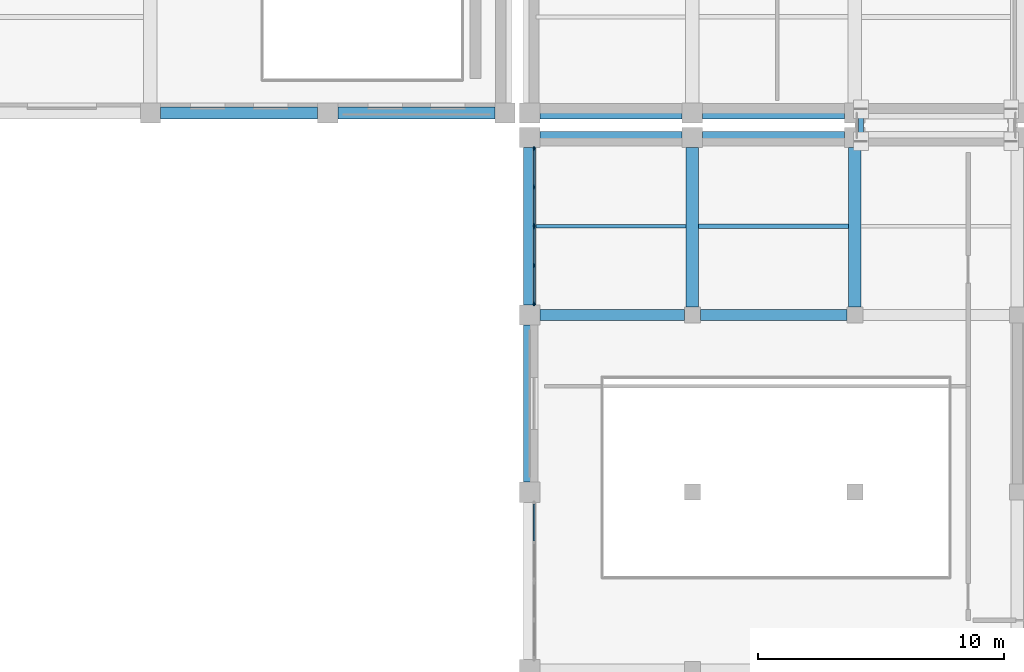
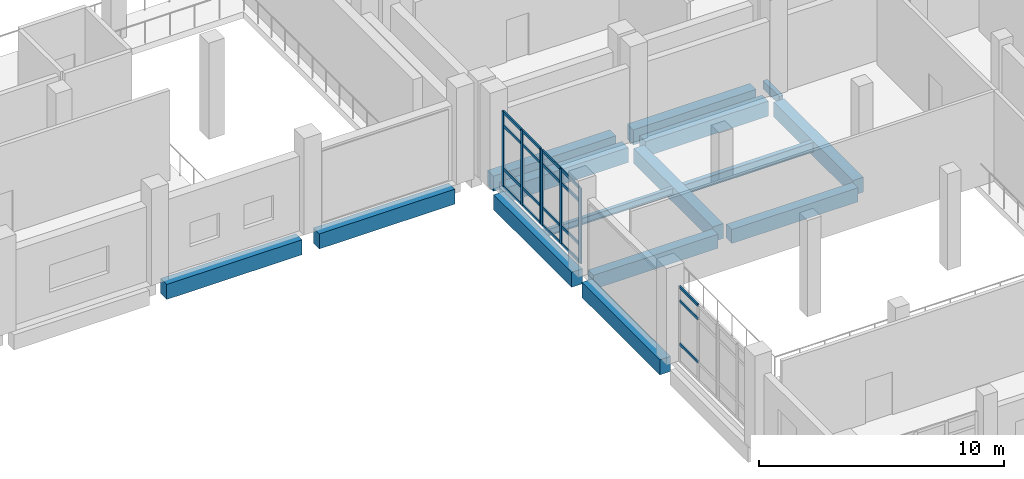
# One storey, part 8 of 73: 25 members, 15 beams, 3 elements without a shape of their own.
"""IFC4 building model written with IfcOpenShell, lengths in metres."""

from ifc_helpers import new_model, si_unit, direction, frame, origin, origin_2d, place, context, subcontext, project, spatial, rectangle, hollow_rectangle, i_section, extrude, material, layer, layer_set, material_profile, profile_set, type_object, element, aggregate, save


model = new_model("IFC4")

# Units and contexts
model_context = context("Model", 3, precision=1e-05, world=origin(), true_north=direction((0.0, 1.0)))
body_context = subcontext(model_context, "Body", "Model", "MODEL_VIEW")
ifc_project = project(units=[si_unit("LENGTHUNIT", "METRE"), si_unit("AREAUNIT", "SQUARE_METRE"), si_unit("VOLUMEUNIT", "CUBIC_METRE"), si_unit("PLANEANGLEUNIT", "RADIAN"), si_unit("MASSUNIT", "GRAM", prefix="KILO")], contexts=[model_context])

# Site, building, storey
site_placement = place(None, origin())
site = spatial("IfcSite", under=ifc_project, at=site_placement, CompositionType="ELEMENT")
building_placement = place(site_placement, origin())
building = spatial("IfcBuilding", under=site, at=building_placement, Name="Kelarvand Opera House", CompositionType="ELEMENT")
storey_placement = place(building_placement, frame((0.0, 0.0, 10.199951171875)))
storey = spatial("IfcBuildingStorey", under=building, at=storey_placement, Name="L02", CompositionType="ELEMENT", Elevation=10.199951171875)

# Curtain wall, members
ifc_material_1 = material(Name="Thermally broken aluminium and low-E glazing", Category="aluminium")
ifc_layer = layer(ifc_material_1, 0.179931640625, Name="Thermally broken aluminium and low-E glazing", Category="aluminium")
ifc_layer_set = layer_set([ifc_layer], Name="Thermally broken aluminium and low-E glazing")
curtain_wall_type = type_object("IfcCurtainWallType", Name="Unitised Low-E Curtain Wall 3176x3730 Mod 1350 CWF-10", PredefinedType="USERDEFINED", material=ifc_layer_set)
curtain_wall_1_placement = place(storey_placement, origin())
curtain_wall_1 = element("IfcCurtainWall", 1, at=curtain_wall_1_placement, inside=storey, type_object=curtain_wall_type, Name="V6 L02 Curtain Wall CWF-10 (223)", ObjectType="UNITISED CURTAIN WALL", PredefinedType="USERDEFINED")
ifc_material_2 = material(Name="Thermally broken anodised aluminium", Category="aluminium")
ifc_material_profile_1 = material_profile(ifc_material_2, rectangle(XDim=0.06494140625, YDim=0.179931640625, at=origin_2d()), Name="ALU MULLION 65x180", Category="aluminium")
ifc_profile_set_1 = profile_set([ifc_material_profile_1], Name="Thermally broken anodised aluminium")
member_type_1 = type_object("IfcMemberType", Name="Curtain Wall Mullion 65x180 Aluminium", PredefinedType="MULLION", material=ifc_profile_set_1)
member_1_placement = place(storey_placement, frame((89.179931640625, 31.052490234375, 0.0), z_axis=(0.0, 0.0, 1.0), x_axis=(-1.0, 0.0, 0.0)))
member_1 = element("IfcMember", 2, at=member_1_placement, type_object=member_type_1, Name="CWF-10 mullion 1", PredefinedType="MULLION", context=body_context, shape_type="SweptSolid", body=[
    extrude(rectangle(XDim=0.06494140625, YDim=0.179931640625, at=origin_2d()), origin(), (0.0, 0.0, 1.0), 3.75),
])
member_2_placement = place(storey_placement, frame((89.179931640625, 32.60791015625, 0.0), z_axis=(0.0, 0.0, 1.0), x_axis=(-1.0, 0.0, 0.0)))
member_2 = element("IfcMember", 3, at=member_2_placement, type_object=member_type_1, Name="CWF-10 mullion 2", PredefinedType="MULLION", context=body_context, shape_type="SweptSolid", body=[
    extrude(rectangle(XDim=0.06494140625, YDim=0.179931640625, at=origin_2d()), origin(), (0.0, 0.0, 1.0), 3.75),
])
member_3_placement = place(storey_placement, frame((89.179931640625, 34.16357421875, 0.0), z_axis=(0.0, 0.0, 1.0), x_axis=(-1.0, 0.0, 0.0)))
member_3 = element("IfcMember", 4, at=member_3_placement, type_object=member_type_1, Name="CWF-10 mullion 3", PredefinedType="MULLION", context=body_context, shape_type="SweptSolid", body=[
    extrude(rectangle(XDim=0.06494140625, YDim=0.179931640625, at=origin_2d()), origin(), (0.0, 0.0, 1.0), 3.75),
])

curtain_wall_2_placement = place(storey_placement, origin())
curtain_wall_2 = element("IfcCurtainWall", 5, at=curtain_wall_2_placement, inside=storey, type_object=curtain_wall_type, Name="V6 L02 Curtain Wall CWF-10 (224)", ObjectType="UNITISED CURTAIN WALL", PredefinedType="USERDEFINED")
member_4_placement = place(storey_placement, frame((89.179931640625, 34.232421875, 0.0), z_axis=(0.0, 0.0, 1.0), x_axis=(-1.0, 0.0, 0.0)))
member_4 = element("IfcMember", 6, at=member_4_placement, type_object=member_type_1, Name="CWF-10 mullion 1", PredefinedType="MULLION", context=body_context, shape_type="SweptSolid", body=[
    extrude(rectangle(XDim=0.06494140625, YDim=0.179931640625, at=origin_2d()), origin(), (0.0, 0.0, 1.0), 3.75),
])
member_5_placement = place(storey_placement, frame((89.179931640625, 35.7900390625, 0.0), z_axis=(0.0, 0.0, 1.0), x_axis=(-1.0, 0.0, 0.0)))
member_5 = element("IfcMember", 7, at=member_5_placement, type_object=member_type_1, Name="CWF-10 mullion 2", PredefinedType="MULLION", context=body_context, shape_type="SweptSolid", body=[
    extrude(rectangle(XDim=0.06494140625, YDim=0.179931640625, at=origin_2d()), origin(), (0.0, 0.0, 1.0), 3.75),
])
member_6_placement = place(storey_placement, frame((89.179931640625, 37.347412109375, 0.0), z_axis=(0.0, 0.0, 1.0), x_axis=(-1.0, 0.0, 0.0)))
member_6 = element("IfcMember", 8, at=member_6_placement, type_object=member_type_1, Name="CWF-10 mullion 3", PredefinedType="MULLION", context=body_context, shape_type="SweptSolid", body=[
    extrude(rectangle(XDim=0.06494140625, YDim=0.179931640625, at=origin_2d()), origin(), (0.0, 0.0, 1.0), 3.75),
])

curtain_wall_3_placement = place(storey_placement, origin())
curtain_wall_3 = element("IfcCurtainWall", 9, at=curtain_wall_3_placement, inside=storey, type_object=curtain_wall_type, Name="V6 L02 Curtain Wall CWF-10 (222)", ObjectType="UNITISED CURTAIN WALL", PredefinedType="USERDEFINED")
ifc_material_profile_2 = material_profile(ifc_material_2, rectangle(XDim=0.06494140625, YDim=0.139892578125, at=origin_2d()), Name="ALU TRANSOM 65x140", Category="aluminium")
ifc_profile_set_2 = profile_set([ifc_material_profile_2], Name="Thermally broken anodised aluminium")
member_type_2 = type_object("IfcMemberType", Name="Curtain Wall Transom 65x140 Aluminium", PredefinedType="USERDEFINED", material=ifc_profile_set_2)
member_7_placement = place(storey_placement, frame((89.179931640625, 21.422607421875, 0.900146484375), z_axis=(0.0, 1.0, 0.0), x_axis=(-1.0, 0.0, 0.0)))
member_7 = element("IfcMember", 10, at=member_7_placement, type_object=member_type_2, Name="CWF-10 transom 2.2", ObjectType="TRANSOM", PredefinedType="USERDEFINED", context=body_context, shape_type="SweptSolid", body=[
    extrude(rectangle(XDim=0.06494140625, YDim=0.139892578125, at=origin_2d()), origin(), (0.0, 0.0, 1.0), 1.492431640625),
])
member_8_placement = place(storey_placement, frame((89.179931640625, 21.422607421875, 3.050048828125), z_axis=(0.0, 1.0, 0.0), x_axis=(-1.0, 0.0, 0.0)))
member_8 = element("IfcMember", 11, at=member_8_placement, type_object=member_type_2, Name="CWF-10 transom 2.3", ObjectType="TRANSOM", PredefinedType="USERDEFINED", context=body_context, shape_type="SweptSolid", body=[
    extrude(rectangle(XDim=0.06494140625, YDim=0.139892578125, at=origin_2d()), origin(), (0.0, 0.0, 1.0), 1.492431640625),
])
member_9_placement = place(storey_placement, frame((89.179931640625, 21.422607421875, 3.717529296875), z_axis=(0.0, 1.0, 0.0), x_axis=(-1.0, 0.0, 0.0)))
member_9 = element("IfcMember", 12, at=member_9_placement, type_object=member_type_2, Name="CWF-10 transom 2.4", ObjectType="TRANSOM", PredefinedType="USERDEFINED", context=body_context, shape_type="SweptSolid", body=[
    extrude(rectangle(XDim=0.06494140625, YDim=0.139892578125, at=origin_2d()), origin(), (0.0, 0.0, 1.0), 1.492431640625),
])
aggregate(curtain_wall_3, [member_7, member_8, member_9])

# Member
member_10_placement = place(storey_placement, frame((89.179931640625, 31.0849609375, 0.032470703125), z_axis=(0.0, 1.0, 0.0), x_axis=(-1.0, 0.0, 0.0)))
member_10 = element("IfcMember", 13, at=member_10_placement, type_object=member_type_2, Name="CWF-10 transom 1.1", ObjectType="TRANSOM", PredefinedType="USERDEFINED", context=body_context, shape_type="SweptSolid", body=[
    extrude(rectangle(XDim=0.06494140625, YDim=0.139892578125, at=origin_2d()), origin(), (0.0, 0.0, 1.0), 1.490478515625),
])

member_11_placement = place(storey_placement, frame((89.179931640625, 31.0849609375, 0.900146484375), z_axis=(0.0, 1.0, 0.0), x_axis=(-1.0, 0.0, 0.0)))
member_11 = element("IfcMember", 14, at=member_11_placement, type_object=member_type_2, Name="CWF-10 transom 1.2", ObjectType="TRANSOM", PredefinedType="USERDEFINED", context=body_context, shape_type="SweptSolid", body=[
    extrude(rectangle(XDim=0.06494140625, YDim=0.139892578125, at=origin_2d()), origin(), (0.0, 0.0, 1.0), 1.490478515625),
])

member_12_placement = place(storey_placement, frame((89.179931640625, 31.0849609375, 3.050048828125), z_axis=(0.0, 1.0, 0.0), x_axis=(-1.0, 0.0, 0.0)))
member_12 = element("IfcMember", 15, at=member_12_placement, type_object=member_type_2, Name="CWF-10 transom 1.3", ObjectType="TRANSOM", PredefinedType="USERDEFINED", context=body_context, shape_type="SweptSolid", body=[
    extrude(rectangle(XDim=0.06494140625, YDim=0.139892578125, at=origin_2d()), origin(), (0.0, 0.0, 1.0), 1.490478515625),
])

member_13_placement = place(storey_placement, frame((89.179931640625, 31.0849609375, 3.717529296875), z_axis=(0.0, 1.0, 0.0), x_axis=(-1.0, 0.0, 0.0)))
member_13 = element("IfcMember", 16, at=member_13_placement, type_object=member_type_2, Name="CWF-10 transom 1.4", ObjectType="TRANSOM", PredefinedType="USERDEFINED", context=body_context, shape_type="SweptSolid", body=[
    extrude(rectangle(XDim=0.06494140625, YDim=0.139892578125, at=origin_2d()), origin(), (0.0, 0.0, 1.0), 1.490478515625),
])

member_14_placement = place(storey_placement, frame((89.179931640625, 32.640380859375, 0.032470703125), z_axis=(0.0, 1.0, 0.0), x_axis=(-1.0, 0.0, 0.0)))
member_14 = element("IfcMember", 17, at=member_14_placement, type_object=member_type_2, Name="CWF-10 transom 2.1", ObjectType="TRANSOM", PredefinedType="USERDEFINED", context=body_context, shape_type="SweptSolid", body=[
    extrude(rectangle(XDim=0.06494140625, YDim=0.139892578125, at=origin_2d()), origin(), (0.0, 0.0, 1.0), 1.49072265625),
])

member_15_placement = place(storey_placement, frame((89.179931640625, 32.640380859375, 0.900146484375), z_axis=(0.0, 1.0, 0.0), x_axis=(-1.0, 0.0, 0.0)))
member_15 = element("IfcMember", 18, at=member_15_placement, type_object=member_type_2, Name="CWF-10 transom 2.2", ObjectType="TRANSOM", PredefinedType="USERDEFINED", context=body_context, shape_type="SweptSolid", body=[
    extrude(rectangle(XDim=0.06494140625, YDim=0.139892578125, at=origin_2d()), origin(), (0.0, 0.0, 1.0), 1.49072265625),
])

member_16_placement = place(storey_placement, frame((89.179931640625, 32.640380859375, 3.050048828125), z_axis=(0.0, 1.0, 0.0), x_axis=(-1.0, 0.0, 0.0)))
member_16 = element("IfcMember", 19, at=member_16_placement, type_object=member_type_2, Name="CWF-10 transom 2.3", ObjectType="TRANSOM", PredefinedType="USERDEFINED", context=body_context, shape_type="SweptSolid", body=[
    extrude(rectangle(XDim=0.06494140625, YDim=0.139892578125, at=origin_2d()), origin(), (0.0, 0.0, 1.0), 1.49072265625),
])

member_17_placement = place(storey_placement, frame((89.179931640625, 32.640380859375, 3.717529296875), z_axis=(0.0, 1.0, 0.0), x_axis=(-1.0, 0.0, 0.0)))
member_17 = element("IfcMember", 20, at=member_17_placement, type_object=member_type_2, Name="CWF-10 transom 2.4", ObjectType="TRANSOM", PredefinedType="USERDEFINED", context=body_context, shape_type="SweptSolid", body=[
    extrude(rectangle(XDim=0.06494140625, YDim=0.139892578125, at=origin_2d()), origin(), (0.0, 0.0, 1.0), 1.49072265625),
])

aggregate(curtain_wall_1, [member_1, member_2, member_3, member_10, member_11, member_12, member_13, member_14, member_15, member_16, member_17])

member_18_placement = place(storey_placement, frame((89.179931640625, 34.264892578125, 0.032470703125), z_axis=(0.0, 1.0, 0.0), x_axis=(-1.0, 0.0, 0.0)))
member_18 = element("IfcMember", 21, at=member_18_placement, type_object=member_type_2, Name="CWF-10 transom 1.1", ObjectType="TRANSOM", PredefinedType="USERDEFINED", context=body_context, shape_type="SweptSolid", body=[
    extrude(rectangle(XDim=0.06494140625, YDim=0.139892578125, at=origin_2d()), origin(), (0.0, 0.0, 1.0), 1.49267578125),
])

member_19_placement = place(storey_placement, frame((89.179931640625, 34.264892578125, 0.900146484375), z_axis=(0.0, 1.0, 0.0), x_axis=(-1.0, 0.0, 0.0)))
member_19 = element("IfcMember", 22, at=member_19_placement, type_object=member_type_2, Name="CWF-10 transom 1.2", ObjectType="TRANSOM", PredefinedType="USERDEFINED", context=body_context, shape_type="SweptSolid", body=[
    extrude(rectangle(XDim=0.06494140625, YDim=0.139892578125, at=origin_2d()), origin(), (0.0, 0.0, 1.0), 1.49267578125),
])

member_20_placement = place(storey_placement, frame((89.179931640625, 34.264892578125, 3.050048828125), z_axis=(0.0, 1.0, 0.0), x_axis=(-1.0, 0.0, 0.0)))
member_20 = element("IfcMember", 23, at=member_20_placement, type_object=member_type_2, Name="CWF-10 transom 1.3", ObjectType="TRANSOM", PredefinedType="USERDEFINED", context=body_context, shape_type="SweptSolid", body=[
    extrude(rectangle(XDim=0.06494140625, YDim=0.139892578125, at=origin_2d()), origin(), (0.0, 0.0, 1.0), 1.49267578125),
])

member_21_placement = place(storey_placement, frame((89.179931640625, 34.264892578125, 3.717529296875), z_axis=(0.0, 1.0, 0.0), x_axis=(-1.0, 0.0, 0.0)))
member_21 = element("IfcMember", 24, at=member_21_placement, type_object=member_type_2, Name="CWF-10 transom 1.4", ObjectType="TRANSOM", PredefinedType="USERDEFINED", context=body_context, shape_type="SweptSolid", body=[
    extrude(rectangle(XDim=0.06494140625, YDim=0.139892578125, at=origin_2d()), origin(), (0.0, 0.0, 1.0), 1.49267578125),
])

member_22_placement = place(storey_placement, frame((89.179931640625, 35.822509765625, 0.032470703125), z_axis=(0.0, 1.0, 0.0), x_axis=(-1.0, 0.0, 0.0)))
member_22 = element("IfcMember", 25, at=member_22_placement, type_object=member_type_2, Name="CWF-10 transom 2.1", ObjectType="TRANSOM", PredefinedType="USERDEFINED", context=body_context, shape_type="SweptSolid", body=[
    extrude(rectangle(XDim=0.06494140625, YDim=0.139892578125, at=origin_2d()), origin(), (0.0, 0.0, 1.0), 1.492431640625),
])

member_23_placement = place(storey_placement, frame((89.179931640625, 35.822509765625, 0.900146484375), z_axis=(0.0, 1.0, 0.0), x_axis=(-1.0, 0.0, 0.0)))
member_23 = element("IfcMember", 26, at=member_23_placement, type_object=member_type_2, Name="CWF-10 transom 2.2", ObjectType="TRANSOM", PredefinedType="USERDEFINED", context=body_context, shape_type="SweptSolid", body=[
    extrude(rectangle(XDim=0.06494140625, YDim=0.139892578125, at=origin_2d()), origin(), (0.0, 0.0, 1.0), 1.492431640625),
])

member_24_placement = place(storey_placement, frame((89.179931640625, 35.822509765625, 3.050048828125), z_axis=(0.0, 1.0, 0.0), x_axis=(-1.0, 0.0, 0.0)))
member_24 = element("IfcMember", 27, at=member_24_placement, type_object=member_type_2, Name="CWF-10 transom 2.3", ObjectType="TRANSOM", PredefinedType="USERDEFINED", context=body_context, shape_type="SweptSolid", body=[
    extrude(rectangle(XDim=0.06494140625, YDim=0.139892578125, at=origin_2d()), origin(), (0.0, 0.0, 1.0), 1.492431640625),
])

member_25_placement = place(storey_placement, frame((89.179931640625, 35.822509765625, 3.717529296875), z_axis=(0.0, 1.0, 0.0), x_axis=(-1.0, 0.0, 0.0)))
member_25 = element("IfcMember", 28, at=member_25_placement, type_object=member_type_2, Name="CWF-10 transom 2.4", ObjectType="TRANSOM", PredefinedType="USERDEFINED", context=body_context, shape_type="SweptSolid", body=[
    extrude(rectangle(XDim=0.06494140625, YDim=0.139892578125, at=origin_2d()), origin(), (0.0, 0.0, 1.0), 1.492431640625),
])

aggregate(curtain_wall_2, [member_4, member_5, member_6, member_18, member_19, member_20, member_21, member_22, member_23, member_24, member_25])

# Beams
ifc_material_3 = material(Name="Concrete C40/50", Category="concrete")
ifc_material_profile_3 = material_profile(ifc_material_3, rectangle(XDim=0.449951171875, YDim=0.699951171875, at=origin_2d()), Name="RC 450x700", Category="concrete")
ifc_profile_set_3 = profile_set([ifc_material_profile_3], Name="Concrete C40/50")
beam_type_1 = type_object("IfcBeamType", Name="Structural Beam RC 450x700 BM-RC450x700", PredefinedType="BEAM", material=ifc_profile_set_3)
beam_1_placement = place(storey_placement, frame((89.409912109375, 30.60009765625, -0.64990234375), z_axis=(1.0, 0.0, 0.0), x_axis=(0.0, 1.0, 0.0)))
element("IfcBeam", 29, at=beam_1_placement, inside=storey, type_object=beam_type_1, Name="V6 L02 Beam BM-RC450x700", PredefinedType="BEAM", context=body_context, shape_type="SweptSolid", body=[
    extrude(rectangle(XDim=0.449951171875, YDim=0.699951171875, at=origin_2d()), origin(), (0.0, 0.0, 1.0), 5.864990234375),
])
beam_2_placement = place(storey_placement, frame((95.925048828125, 30.60009765625, -0.64990234375), z_axis=(1.0, 0.0, 0.0), x_axis=(0.0, 1.0, 0.0)))
element("IfcBeam", 30, at=beam_2_placement, inside=storey, type_object=beam_type_1, Name="V6 L02 Beam BM-RC450x700", PredefinedType="BEAM", context=body_context, shape_type="SweptSolid", body=[
    extrude(rectangle(XDim=0.449951171875, YDim=0.699951171875, at=origin_2d()), origin(), (0.0, 0.0, 1.0), 5.949951171875),
])
ifc_material_profile_4 = material_profile(ifc_material_3, rectangle(XDim=0.5, YDim=0.75, at=origin_2d()), Name="RC 500x750", Category="concrete")
ifc_profile_set_4 = profile_set([ifc_material_profile_4], Name="Concrete C40/50")
beam_type_2 = type_object("IfcBeamType", Name="Structural Beam RC 500x750 BM-RC500x750", PredefinedType="BEAM", material=ifc_profile_set_4)
for number, where, z_axis, x_axis, name in (
    (31, (95.60009765625, 30.925048828125, -0.675048828125), (0.0, 1.0, 0.0), (-1.0, 0.0, 0.0), "V6 L02 Beam BM-RC500x750"),
    (32, (102.199951171875, 30.925048828125, -0.675048828125), (0.0, 1.0, 0.0), (-1.0, 0.0, 0.0), "V6 L02 Beam BM-RC500x750"),
):
    element("IfcBeam", number, at=place(storey_placement, frame(where, z_axis=z_axis, x_axis=x_axis)), inside=storey, type_object=beam_type_2, Name=name, PredefinedType="BEAM", context=body_context, shape_type="SweptSolid", body=[
        extrude(rectangle(XDim=0.5, YDim=0.75, at=origin_2d()), origin(), (0.0, 0.0, 1.0), 6.46484375),
    ])
ifc_material_4 = material(Name="Steel S355", Category="steel")
ifc_material_profile_5 = material_profile(ifc_material_4, hollow_rectangle(XDim=0.199951171875, YDim=0.39990234375, WallThickness=0.01611328125, at=origin_2d()), Name="RHS 400x200x16.0", Category="steel")
ifc_profile_set_5 = profile_set([ifc_material_profile_5], Name="Steel S355")
beam_type_3 = type_object("IfcBeamType", Name="Structural Beam RHS 400x200x16.0 BM-RHS400", PredefinedType="BEAM", material=ifc_profile_set_5)
beam_3_placement = place(storey_placement, frame((102.449951171875, 37.64990234375, -0.52001953125), z_axis=(0.0, 1.0, 0.0), x_axis=(-1.0, 0.0, 0.0)))
element("IfcBeam", 33, at=beam_3_placement, inside=storey, type_object=beam_type_3, Name="Seismic Sliding Corbel Beam BR-JS-E L02 1", PredefinedType="BEAM", context=body_context, shape_type="SweptSolid", body=[
    extrude(hollow_rectangle(XDim=0.199951171875, YDim=0.39990234375, WallThickness=0.01611328125, at=origin_2d()), origin(), (0.0, 0.0, 1.0), 1.300048828125),
])
ifc_material_profile_6 = material_profile(ifc_material_4, i_section(OverallWidth=0.159912109375, OverallDepth=0.330078125, WebThickness=0.007568359375, FlangeThickness=0.011474609375, at=origin_2d()), Name="IPE 330", Category="steel")
ifc_profile_set_6 = profile_set([ifc_material_profile_6], Name="Steel S355")
beam_type_4 = type_object("IfcBeamType", Name="Structural Joist IPE 330 JS-IPE330", PredefinedType="JOIST", material=ifc_profile_set_6)
beam_4_placement = place(storey_placement, frame((89.25, 34.199951171875, -0.46484375), z_axis=(1.0, 0.0, 0.0), x_axis=(0.0, 1.0, 0.0)))
element("IfcBeam", 34, at=beam_4_placement, inside=storey, type_object=beam_type_4, Name="V6 L02 Beam JS-IPE330", PredefinedType="JOIST", context=body_context, shape_type="SweptSolid", body=[
    extrude(i_section(OverallWidth=0.159912109375, OverallDepth=0.330078125, WebThickness=0.007568359375, FlangeThickness=0.011474609375, at=origin_2d()), origin(), (0.0, 0.0, 1.0), 6.10009765625),
])
ifc_material_profile_7 = material_profile(ifc_material_4, i_section(OverallWidth=0.199951171875, OverallDepth=0.5, WebThickness=0.01025390625, FlangeThickness=0.01611328125, at=origin_2d()), Name="IPE 500", Category="steel")
ifc_profile_set_7 = profile_set([ifc_material_profile_7], Name="Steel S355")
beam_type_5 = type_object("IfcBeamType", Name="Structural Joist IPE 500 JS-IPE500", PredefinedType="JOIST", material=ifc_profile_set_7)
beam_5_placement = place(storey_placement, frame((95.85009765625, 34.199951171875, -0.550048828125), z_axis=(1.0, 0.0, 0.0), x_axis=(0.0, 1.0, 0.0)))
element("IfcBeam", 35, at=beam_5_placement, inside=storey, type_object=beam_type_5, Name="V6 L02 Beam JS-IPE500", PredefinedType="JOIST", context=body_context, shape_type="SweptSolid", body=[
    extrude(i_section(OverallWidth=0.199951171875, OverallDepth=0.5, WebThickness=0.01025390625, FlangeThickness=0.01611328125, at=origin_2d()), origin(), (0.0, 0.0, 1.0), 6.099853515625),
])
ifc_material_profile_8 = material_profile(ifc_material_3, rectangle(XDim=0.5, YDim=0.75, at=origin_2d()), Name="RC 500x750", Category="concrete")
ifc_profile_set_8 = profile_set([ifc_material_profile_8], Name="Concrete C40/50")
beam_type_6 = type_object("IfcBeamType", Name="Structural Spandrel RC 500x750 SP-RC500x750E", PredefinedType="SPANDREL", material=ifc_profile_set_8)
for number, where, z_axis, x_axis, name in (
    (36, (89.409912109375, 38.800048828125, -0.695068359375), (1.0, 0.0, 0.0), (0.0, 1.0, 0.0), "V1 L02 Beam SP-RC500x750E"),
    (37, (96.010009765625, 38.800048828125, -0.695068359375), (1.0, 0.0, 0.0), (0.0, 1.0, 0.0), "V1 L02 Beam SP-RC500x750E"),
):
    element("IfcBeam", number, at=place(storey_placement, frame(where, z_axis=z_axis, x_axis=x_axis)), inside=storey, type_object=beam_type_6, Name=name, PredefinedType="SPANDREL", context=body_context, shape_type="SweptSolid", body=[
        extrude(rectangle(XDim=0.5, YDim=0.75, at=origin_2d()), origin(), (0.0, 0.0, 1.0), 5.780029296875),
    ])
beam_6_placement = place(storey_placement, frame((74.010009765625, 38.800048828125, -0.695068359375), z_axis=(1.0, 0.0, 0.0), x_axis=(0.0, 1.0, 0.0)))
element("IfcBeam", 38, at=beam_6_placement, inside=storey, type_object=beam_type_6, Name="V2 L02 Beam SP-RC500x750E", PredefinedType="SPANDREL", context=body_context, shape_type="SweptSolid", body=[
    extrude(rectangle(XDim=0.5, YDim=0.75, at=origin_2d()), origin(), (0.0, 0.0, 1.0), 6.3798828125),
])
beam_7_placement = place(storey_placement, frame((81.2099609375, 38.800048828125, -0.695068359375), z_axis=(1.0, 0.0, 0.0), x_axis=(0.0, 1.0, 0.0)))
element("IfcBeam", 39, at=beam_7_placement, inside=storey, type_object=beam_type_6, Name="V2 L02 Beam SP-RC500x750E", PredefinedType="SPANDREL", context=body_context, shape_type="SweptSolid", body=[
    extrude(rectangle(XDim=0.5, YDim=0.75, at=origin_2d()), origin(), (0.0, 0.0, 1.0), 6.380126953125),
])
for number, where, z_axis, x_axis, name in (
    (40, (89.409912109375, 37.800048828125, -0.675048828125), (1.0, 0.0, 0.0), (0.0, 1.0, 0.0), "V6 L02 Beam SP-RC500x750E"),
    (41, (96.010009765625, 37.800048828125, -0.675048828125), (1.0, 0.0, 0.0), (0.0, 1.0, 0.0), "V6 L02 Beam SP-RC500x750E"),
):
    element("IfcBeam", number, at=place(storey_placement, frame(where, z_axis=z_axis, x_axis=x_axis)), inside=storey, type_object=beam_type_6, Name=name, PredefinedType="SPANDREL", context=body_context, shape_type="SweptSolid", body=[
        extrude(rectangle(XDim=0.5, YDim=0.75, at=origin_2d()), origin(), (0.0, 0.0, 1.0), 5.780029296875),
    ])
for number, where, z_axis, x_axis, name in (
    (42, (89.0, 23.81005859375, -0.675048828125), (0.0, 1.0, 0.0), (-1.0, 0.0, 0.0), "V6 L02 Beam SP-RC500x750E"),
    (43, (89.0, 31.010009765625, -0.675048828125), (0.0, 1.0, 0.0), (-1.0, 0.0, 0.0), "V6 L02 Beam SP-RC500x750E"),
):
    element("IfcBeam", number, at=place(storey_placement, frame(where, z_axis=z_axis, x_axis=x_axis)), inside=storey, type_object=beam_type_6, Name=name, PredefinedType="SPANDREL", context=body_context, shape_type="SweptSolid", body=[
        extrude(rectangle(XDim=0.5, YDim=0.75, at=origin_2d()), origin(), (0.0, 0.0, 1.0), 6.3798828125),
    ])

save(model, "model.ifc")
